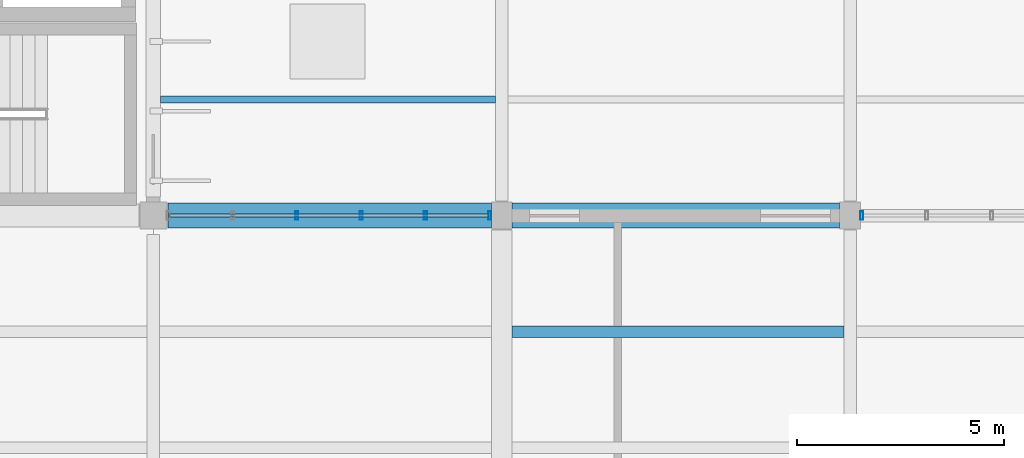
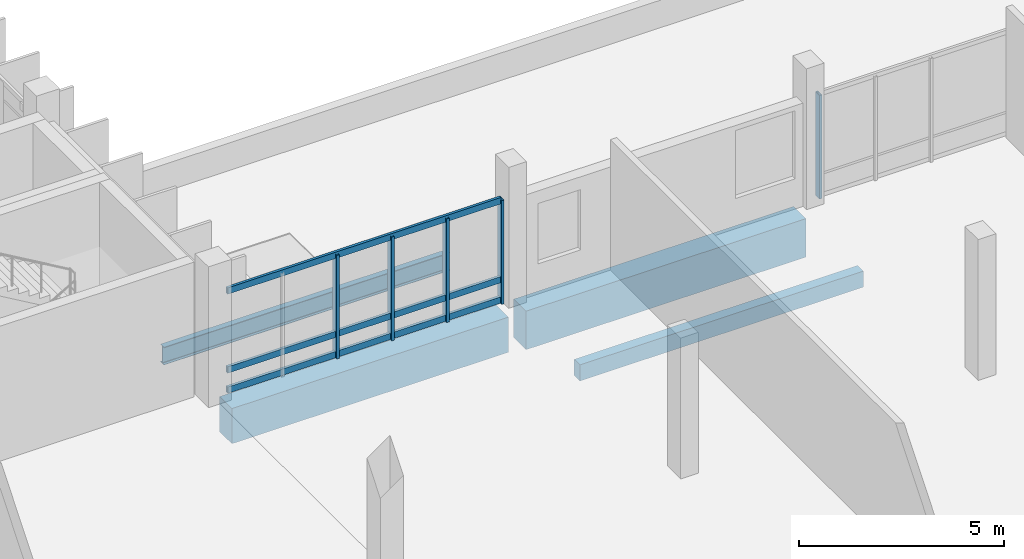
# One storey, part 37 of 101: 8 members, 4 beams, 2 elements without a shape of their own.
"""IFC4 building model written with IfcOpenShell, lengths in metres."""

from ifc_helpers import new_model, si_unit, direction, frame, origin, origin_2d, place, context, subcontext, project, spatial, rectangle, hollow_rectangle, i_section, extrude, material, layer, layer_set, material_profile, profile_set, type_object, element, aggregate, save


model = new_model("IFC4")

# Units and contexts
model_context = context("Model", 3, precision=1e-05, world=origin(), true_north=direction((0.0, 1.0)))
body_context = subcontext(model_context, "Body", "Model", "MODEL_VIEW")
ifc_project = project(units=[si_unit("LENGTHUNIT", "METRE"), si_unit("AREAUNIT", "SQUARE_METRE"), si_unit("VOLUMEUNIT", "CUBIC_METRE"), si_unit("PLANEANGLEUNIT", "RADIAN"), si_unit("MASSUNIT", "GRAM", prefix="KILO")], contexts=[model_context])

# Site, building, storey
site_placement = place(None, origin())
site = spatial("IfcSite", under=ifc_project, at=site_placement, CompositionType="ELEMENT")
building_placement = place(site_placement, origin())
building = spatial("IfcBuilding", under=site, at=building_placement, Name="Vireocrest Preparatory School", CompositionType="ELEMENT")
storey_placement = place(building_placement, frame((0.0, 0.0, 4.800048828125)))
storey = spatial("IfcBuildingStorey", under=building, at=storey_placement, Name="L01", CompositionType="ELEMENT", Elevation=4.800048828125)

# Curtain wall, members
ifc_material_1 = material(Name="Thermally broken aluminium EN AW-6063-T6", Category="aluminium")
ifc_layer_1 = layer(ifc_material_1, 0.179931640625)
ifc_layer_set_1 = layer_set([ifc_layer_1], Name="Thermally broken aluminium EN AW-6063-T6")
curtain_wall_type_1 = type_object("IfcCurtainWallType", Name="Botanical Lab Glazing 8400x3400", PredefinedType="USERDEFINED", material=ifc_layer_set_1)
curtain_wall_1_placement = place(storey_placement, origin())
curtain_wall_1 = element("IfcCurtainWall", 1, at=curtain_wall_1_placement, inside=storey, type_object=curtain_wall_type_1, Name="Curtain Wall CW15 CW_L01_CW15_1095_0438_048", ObjectType="CURTAIN WALL", PredefinedType="USERDEFINED")
ifc_material_profile_1 = material_profile(ifc_material_1, hollow_rectangle(XDim=0.074951171875, YDim=0.199951171875, WallThickness=0.0048828125, at=origin_2d()), Name="ALU 75x200x5")
ifc_profile_set_1 = profile_set([ifc_material_profile_1], Name="Thermally broken aluminium EN AW-6063-T6")
member_type_1 = type_object("IfcMemberType", Name="CW Mullion 75x200x5", PredefinedType="MULLION", material=ifc_profile_set_1)
member_1_placement = place(storey_placement, frame((112.662109375, 43.800048828125, 0.0), z_axis=(0.0, 0.0, 1.0), x_axis=(1.0, 0.0, 0.0)))
member_1 = element("IfcMember", 2, at=member_1_placement, type_object=member_type_1, Name="CW Mullion ML3 CW_L01_CW15_1095_0438_048-3", PredefinedType="MULLION", context=body_context, shape_type="SweptSolid", body=[
    extrude(hollow_rectangle(XDim=0.074951171875, YDim=0.199951171875, WallThickness=0.0048828125, at=origin_2d()), origin(), (0.0, 0.0, 1.0), 3.094970703125),
])
member_2_placement = place(storey_placement, frame((114.212890625, 43.800048828125, 0.0), z_axis=(0.0, 0.0, 1.0), x_axis=(1.0, 0.0, 0.0)))
member_2 = element("IfcMember", 3, at=member_2_placement, type_object=member_type_1, Name="CW Mullion ML3 CW_L01_CW15_1095_0438_048-4", PredefinedType="MULLION", context=body_context, shape_type="SweptSolid", body=[
    extrude(hollow_rectangle(XDim=0.074951171875, YDim=0.199951171875, WallThickness=0.0048828125, at=origin_2d()), origin(), (0.0, 0.0, 1.0), 3.094970703125),
])
member_3_placement = place(storey_placement, frame((115.763916015625, 43.800048828125, 0.0), z_axis=(0.0, 0.0, 1.0), x_axis=(1.0, 0.0, 0.0)))
member_3 = element("IfcMember", 4, at=member_3_placement, type_object=member_type_1, Name="CW Mullion ML3 CW_L01_CW15_1095_0438_048-5", PredefinedType="MULLION", context=body_context, shape_type="SweptSolid", body=[
    extrude(hollow_rectangle(XDim=0.074951171875, YDim=0.199951171875, WallThickness=0.0048828125, at=origin_2d()), origin(), (0.0, 0.0, 1.0), 3.094970703125),
])
member_4_placement = place(storey_placement, frame((117.31494140625, 43.800048828125, 0.0), z_axis=(0.0, 0.0, 1.0), x_axis=(1.0, 0.0, 0.0)))
member_4 = element("IfcMember", 5, at=member_4_placement, type_object=member_type_1, Name="CW Mullion ML3 CW_L01_CW15_1095_0438_048-6", PredefinedType="MULLION", context=body_context, shape_type="SweptSolid", body=[
    extrude(hollow_rectangle(XDim=0.074951171875, YDim=0.199951171875, WallThickness=0.0048828125, at=origin_2d()), origin(), (0.0, 0.0, 1.0), 3.094970703125),
])

# Curtain wall, member
ifc_layer_2 = layer(ifc_material_1, 0.179931640625)
ifc_layer_set_2 = layer_set([ifc_layer_2], Name="Thermally broken aluminium EN AW-6063-T6")
curtain_wall_type_2 = type_object("IfcCurtainWallType", Name="Library Reading Bay Glazing 7600x4200", PredefinedType="USERDEFINED", material=ifc_layer_set_2)
curtain_wall_2_placement = place(storey_placement, origin())
curtain_wall_2 = element("IfcCurtainWall", 6, at=curtain_wall_2_placement, inside=storey, type_object=curtain_wall_type_2, Name="Curtain Wall CW16 CW_L01_CW16_1262_0438_048", ObjectType="CURTAIN WALL", PredefinedType="USERDEFINED")
member_5_placement = place(storey_placement, frame((126.284912109375, 43.800048828125, 0.0), z_axis=(0.0, 0.0, 1.0), x_axis=(1.0, 0.0, 0.0)))
member_5 = element("IfcMember", 7, at=member_5_placement, type_object=member_type_1, Name="CW Mullion ML3 CW_L01_CW16_1262_0438_048-1", PredefinedType="MULLION", context=body_context, shape_type="SweptSolid", body=[
    extrude(hollow_rectangle(XDim=0.074951171875, YDim=0.199951171875, WallThickness=0.0048828125, at=origin_2d()), origin(), (0.0, 0.0, 1.0), 3.094970703125),
])
aggregate(curtain_wall_2, [member_5])

# Member
ifc_material_profile_2 = material_profile(ifc_material_1, hollow_rectangle(XDim=0.074951171875, YDim=0.18994140625, WallThickness=0.00390625, at=origin_2d()), Name="ALU 75x190x4")
ifc_profile_set_2 = profile_set([ifc_material_profile_2], Name="Thermally broken aluminium EN AW-6063-T6")
member_type_2 = type_object("IfcMemberType", Name="CW Transom 75x190x4", PredefinedType="USERDEFINED", material=ifc_profile_set_2)
member_6_placement = place(storey_placement, frame((109.5849609375, 43.800048828125, 0.094970703125), z_axis=(1.0, 0.0, 0.0), x_axis=(0.0, 1.0, 0.0)))
member_6 = element("IfcMember", 8, at=member_6_placement, type_object=member_type_2, Name="CW Transom TR3 CW_L01_CW15_1095_0438_048-1", ObjectType="TRANSOM", PredefinedType="USERDEFINED", context=body_context, shape_type="SweptSolid", body=[
    extrude(hollow_rectangle(XDim=0.074951171875, YDim=0.18994140625, WallThickness=0.00390625, at=origin_2d()), origin(), (0.0, 0.0, 1.0), 7.705078125),
])

member_7_placement = place(storey_placement, frame((109.5849609375, 43.800048828125, 0.699951171875), z_axis=(1.0, 0.0, 0.0), x_axis=(0.0, 1.0, 0.0)))
member_7 = element("IfcMember", 9, at=member_7_placement, type_object=member_type_2, Name="CW Transom TR3 CW_L01_CW15_1095_0438_048-2", ObjectType="TRANSOM", PredefinedType="USERDEFINED", context=body_context, shape_type="SweptSolid", body=[
    extrude(hollow_rectangle(XDim=0.074951171875, YDim=0.18994140625, WallThickness=0.00390625, at=origin_2d()), origin(), (0.0, 0.0, 1.0), 7.705078125),
])

member_8_placement = place(storey_placement, frame((109.5849609375, 43.800048828125, 3.054931640625), z_axis=(1.0, 0.0, 0.0), x_axis=(0.0, 1.0, 0.0)))
member_8 = element("IfcMember", 10, at=member_8_placement, type_object=member_type_2, Name="CW Transom TR3 CW_L01_CW15_1095_0438_048-3", ObjectType="TRANSOM", PredefinedType="USERDEFINED", context=body_context, shape_type="SweptSolid", body=[
    extrude(hollow_rectangle(XDim=0.074951171875, YDim=0.18994140625, WallThickness=0.00390625, at=origin_2d()), origin(), (0.0, 0.0, 1.0), 7.705078125),
])

aggregate(curtain_wall_1, [member_1, member_2, member_3, member_4, member_6, member_7, member_8])

# Beams
ifc_material_2 = material(Name="Structural steel ASTM A992 Grade 50", Category="steel")
ifc_material_profile_3 = material_profile(ifc_material_2, i_section(OverallWidth=0.166015625, OverallDepth=0.529052734375, WebThickness=0.009765625, FlangeThickness=0.013671875, FilletRadius=0.014892578125, at=origin_2d()), Name="W21X50")
ifc_profile_set_3 = profile_set([ifc_material_profile_3], Name="Structural steel ASTM A992 Grade 50")
beam_type_1 = type_object("IfcBeamType", Name="Pavilion Roof Joist W21X50", PredefinedType="JOIST", material=ifc_profile_set_3)
beam_1_placement = place(storey_placement, frame((109.375, 46.60009765625, -0.484619140625), z_axis=(1.0, 0.0, 0.0), x_axis=(0.0, 1.0, 0.0)))
element("IfcBeam", 11, at=beam_1_placement, inside=storey, type_object=beam_type_1, Name="Secondary Joist SJ1 L01-0633", PredefinedType="JOIST", context=body_context, shape_type="SweptSolid", body=[
    extrude(i_section(OverallWidth=0.166015625, OverallDepth=0.529052734375, WebThickness=0.009765625, FlangeThickness=0.013671875, FilletRadius=0.014892578125, at=origin_2d()), origin(), (0.0, 0.0, 1.0), 8.074951171875),
])
ifc_material_3 = material(Name="Concrete 40 MPa", Category="concrete")
ifc_material_profile_4 = material_profile(ifc_material_3, rectangle(XDim=0.60009765625, YDim=1.14990234375, at=origin_2d()), Name="RC 600x1150")
ifc_profile_set_4 = profile_set([ifc_material_profile_4], Name="Concrete 40 MPa")
beam_type_2 = type_object("IfcBeamType", Name="RC Heavy Transfer Girder 600x1150", PredefinedType="BEAM", material=ifc_profile_set_4)
beam_2_placement = place(storey_placement, frame((117.85009765625, 43.800048828125, -0.85498046875), z_axis=(1.0, 0.0, 0.0), x_axis=(0.0, 1.0, 0.0)))
element("IfcBeam", 12, at=beam_2_placement, inside=storey, type_object=beam_type_2, Name="Primary Girder B20 L01-0306", PredefinedType="BEAM", context=body_context, shape_type="SweptSolid", body=[
    extrude(rectangle(XDim=0.60009765625, YDim=1.14990234375, at=origin_2d()), origin(), (0.0, 0.0, 1.0), 7.89990234375),
])
ifc_material_profile_5 = material_profile(ifc_material_3, rectangle(XDim=0.280029296875, YDim=0.47998046875, at=origin_2d()), Name="RC 280x480")
ifc_profile_set_5 = profile_set([ifc_material_profile_5], Name="Concrete 40 MPa")
beam_type_3 = type_object("IfcBeamType", Name="RC Secondary Lab Joist 280x480", PredefinedType="JOIST", material=ifc_profile_set_5)
beam_3_placement = place(storey_placement, frame((117.85009765625, 41.0, -0.52001953125), z_axis=(1.0, 0.0, 0.0), x_axis=(0.0, 1.0, 0.0)))
element("IfcBeam", 13, at=beam_3_placement, inside=storey, type_object=beam_type_3, Name="Secondary Joist J02 L01-0646", PredefinedType="JOIST", context=body_context, shape_type="SweptSolid", body=[
    extrude(rectangle(XDim=0.280029296875, YDim=0.47998046875, at=origin_2d()), origin(), (0.0, 0.0, 1.0), 8.0),
])
ifc_material_profile_6 = material_profile(ifc_material_3, rectangle(XDim=0.60009765625, YDim=1.050048828125, at=origin_2d()), Name="RC 600x1050")
ifc_profile_set_6 = profile_set([ifc_material_profile_6], Name="Concrete 40 MPa")
beam_type_4 = type_object("IfcBeamType", Name="RC Transfer Girder 600x1050", PredefinedType="BEAM", material=ifc_profile_set_6)
beam_4_placement = place(storey_placement, frame((109.550048828125, 43.800048828125, -0.804931640625), z_axis=(1.0, 0.0, 0.0), x_axis=(0.0, 1.0, 0.0)))
element("IfcBeam", 14, at=beam_4_placement, inside=storey, type_object=beam_type_4, Name="Primary Girder B19 L01-0305", PredefinedType="BEAM", context=body_context, shape_type="SweptSolid", body=[
    extrude(rectangle(XDim=0.60009765625, YDim=1.050048828125, at=origin_2d()), origin(), (0.0, 0.0, 1.0), 7.800048828125),
])

save(model, "model.ifc")
